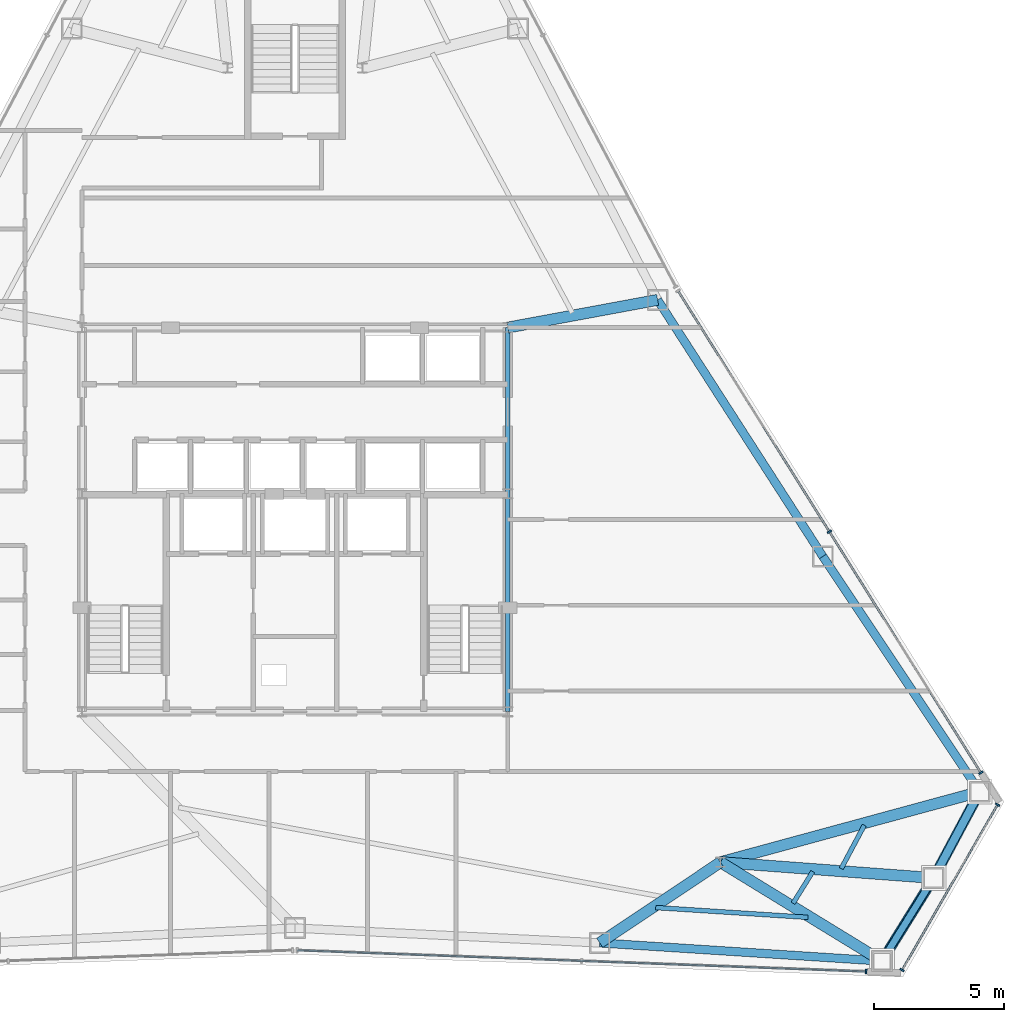
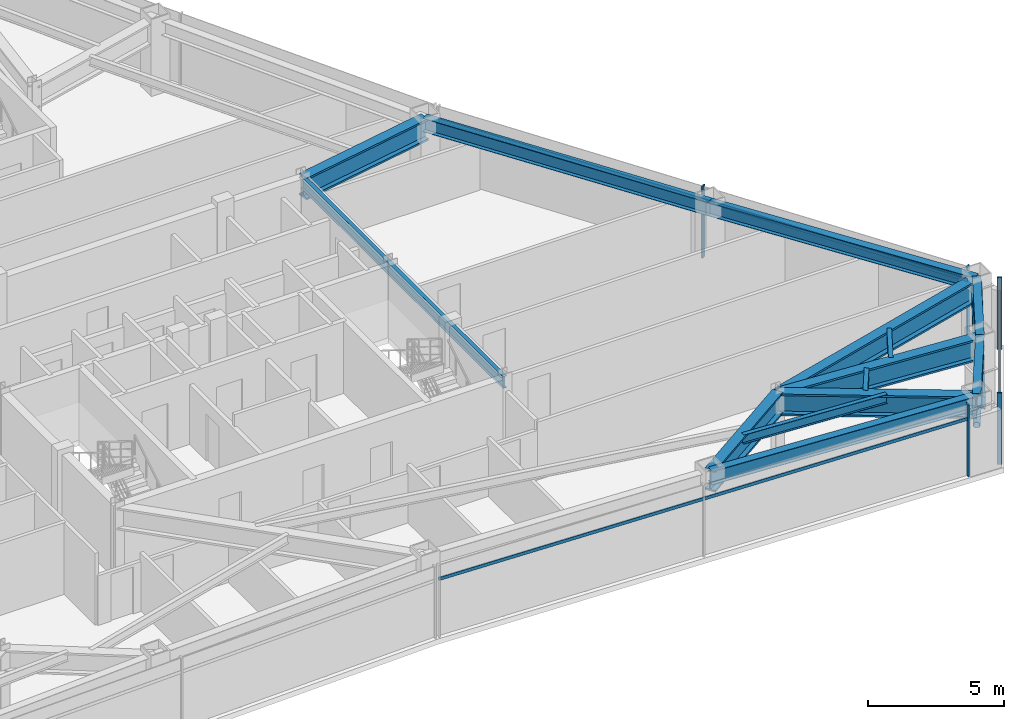
# One storey, part 7 of 13: 14 beams, 11 members, 3 elements without a shape of their own.
"""IFC4 building model written with IfcOpenShell, lengths in metres."""

from ifc_helpers import new_model, si_unit, direction, frame, origin, origin_2d, place, context, subcontext, project, spatial, rectangle, hollow_rectangle, hollow_circle, i_section, extrude, source, transform, mapped, material, layer, layer_set, material_profile, profile_set, type_object, type_shapes, element, aggregate, save


model = new_model("IFC4")

# Units and contexts
model_context = context("Model", 3, precision=1e-05, world=origin(), true_north=direction((0.0, 1.0)))
body_context = subcontext(model_context, "Body", "Model", "MODEL_VIEW")
ifc_project = project(units=[si_unit("LENGTHUNIT", "METRE"), si_unit("AREAUNIT", "SQUARE_METRE"), si_unit("VOLUMEUNIT", "CUBIC_METRE"), si_unit("PLANEANGLEUNIT", "RADIAN"), si_unit("MASSUNIT", "GRAM", prefix="KILO")], contexts=[model_context])

# Site, building, storey
site_placement = place(None, origin())
site = spatial("IfcSite", under=ifc_project, at=site_placement, CompositionType="ELEMENT")
building_placement = place(site_placement, origin())
building = spatial("IfcBuilding", under=site, at=building_placement, Name="Varakhsha Concourse Tower", CompositionType="ELEMENT")
storey_placement = place(building_placement, frame((0.0, 0.0, 179.25)))
storey = spatial("IfcBuildingStorey", under=building, at=storey_placement, Name="L51", CompositionType="ELEMENT", Elevation=179.25)

# Beams
ifc_material_1 = material(Name="Structural Steel ASTM A992 Grade 50", Category="steel")
ifc_material_profile_1 = material_profile(ifc_material_1, i_section(OverallWidth=0.177978515625, OverallDepth=0.406982421875, WebThickness=0.008056640625, FlangeThickness=0.012939453125, at=origin_2d()), Name="W16X40")
ifc_profile_set_1 = profile_set([ifc_material_profile_1], Name="Structural Steel ASTM A992 Grade 50")
beam_type_1 = type_object("IfcBeamType", Name="BM-JST-W16X40", PredefinedType="JOIST", material=ifc_profile_set_1)
beam_1_placement = place(storey_placement, frame((53.902587890625, 8.851806640625, 3.006591796875), z_axis=(0.99793209754, -0.064276968651, 0.0), x_axis=(0.064276968651, 0.99793209754, 0.0)))
element("IfcBeam", 1, at=beam_1_placement, inside=storey, type_object=beam_type_1, Name="BM-TJST-L51-12", PredefinedType="JOIST", context=body_context, shape_type="SweptSolid", body=[
    extrude(i_section(OverallWidth=0.177978515625, OverallDepth=0.406982421875, WebThickness=0.008056640625, FlangeThickness=0.012939453125, at=origin_2d()), origin(), (0.0, 0.0, 1.0), 5.883544921875),
])
beam_2_placement = place(storey_placement, frame((59.1953125, 9.01708984375, 3.006591796875), z_axis=(0.528059854991, 0.849207153495, 0.0), x_axis=(-0.849207153495, 0.528059854991, 0.0)))
element("IfcBeam", 2, at=beam_2_placement, inside=storey, type_object=beam_type_1, Name="BM-TJST-L51-13", PredefinedType="JOIST", context=body_context, shape_type="SweptSolid", body=[
    extrude(i_section(OverallWidth=0.177978515625, OverallDepth=0.406982421875, WebThickness=0.008056640625, FlangeThickness=0.012939453125, at=origin_2d()), origin(), (0.0, 0.0, 1.0), 1.438232421875),
])
beam_3_placement = place(storey_placement, frame((61.050048828125, 10.35595703125, 3.006591796875), z_axis=(0.471432696915, 0.881902042338, 0.0), x_axis=(-0.881902042338, 0.471432696915, 0.0)))
element("IfcBeam", 3, at=beam_3_placement, inside=storey, type_object=beam_type_1, Name="BM-TJST-L51-14", PredefinedType="JOIST", context=body_context, shape_type="SweptSolid", body=[
    extrude(i_section(OverallWidth=0.177978515625, OverallDepth=0.406982421875, WebThickness=0.008056640625, FlangeThickness=0.012939453125, at=origin_2d()), origin(), (0.0, 0.0, 1.0), 1.89013671875),
])
ifc_material_profile_2 = material_profile(ifc_material_1, i_section(OverallWidth=0.1669921875, OverallDepth=0.534912109375, WebThickness=0.010009765625, FlangeThickness=0.01708984375, at=origin_2d()), Name="W21X57")
ifc_profile_set_2 = profile_set([ifc_material_profile_2], Name="Structural Steel ASTM A992 Grade 50")
beam_type_2 = type_object("IfcBeamType", Name="BM-RAD-W21X57", PredefinedType="BEAM", material=ifc_profile_set_2)
beam_4_placement = place(storey_placement, frame((48.199951171875, 16.39990234375, 2.9423828125), z_axis=(0.0, 1.0, 0.0), x_axis=(-1.0, 0.0, 0.0)))
element("IfcBeam", 4, at=beam_4_placement, inside=storey, type_object=beam_type_2, Name="BM-TCORE-L51-CE", PredefinedType="BEAM", context=body_context, shape_type="SweptSolid", body=[
    extrude(i_section(OverallWidth=0.1669921875, OverallDepth=0.534912109375, WebThickness=0.010009765625, FlangeThickness=0.01708984375, at=origin_2d()), origin(), (0.0, 0.0, 1.0), 14.800048828125),
])
ifc_material_profile_3 = material_profile(ifc_material_1, i_section(OverallWidth=0.323974609375, OverallDepth=0.611083984375, WebThickness=0.012939453125, FlangeThickness=0.01904296875, at=origin_2d()), Name="W24X104")
ifc_profile_set_3 = profile_set([ifc_material_profile_3], Name="Structural Steel ASTM A992 Grade 50")
beam_type_3 = type_object("IfcBeamType", Name="BM-SPAN-W24X104", PredefinedType="SPANDREL", material=ifc_profile_set_3)
beam_5_placement = place(storey_placement, frame((51.744384765625, 7.49072265625, 2.904541015625), z_axis=(0.997934305556, -0.064242678915, 0.0), x_axis=(0.064242678915, 0.997934305556, 0.0)))
element("IfcBeam", 5, at=beam_5_placement, inside=storey, type_object=beam_type_3, Name="BM-SPAN-L51-12", PredefinedType="SPANDREL", context=body_context, shape_type="SweptSolid", body=[
    extrude(i_section(OverallWidth=0.323974609375, OverallDepth=0.611083984375, WebThickness=0.012939453125, FlangeThickness=0.01904296875, at=origin_2d()), origin(), (0.0, 0.0, 1.0), 10.899169921875),
])
for number, where, z_axis, x_axis, name in (
    (6, (62.62109375, 6.79052734375, 2.904541015625), (0.528064197342, 0.849204453289, 0.0), (-0.849204453289, 0.528064197342, 0.0), "BM-SPAN-L51-13"),
    (7, (64.611083984375, 9.99072265625, 2.904541015625), (0.471432003262, 0.881902413139, 0.0), (-0.881902413139, 0.471432003262, 0.0), "BM-SPAN-L51-14"),
):
    element("IfcBeam", number, at=place(storey_placement, frame(where, z_axis=z_axis, x_axis=x_axis)), inside=storey, type_object=beam_type_3, Name=name, PredefinedType="SPANDREL", context=body_context, shape_type="SweptSolid", body=[
        extrude(i_section(OverallWidth=0.323974609375, OverallDepth=0.611083984375, WebThickness=0.012939453125, FlangeThickness=0.01904296875, at=origin_2d()), origin(), (0.0, 0.0, 1.0), 3.7685546875),
    ])
beam_6_placement = place(storey_placement, frame((66.3876953125, 13.314208984375, 2.904541015625), z_axis=(-0.554617486764, 0.832105428041, 0.0), x_axis=(-0.832105428041, -0.554617486764, 0.0)))
element("IfcBeam", 8, at=beam_6_placement, inside=storey, type_object=beam_type_3, Name="BM-SPAN-L51-15", PredefinedType="SPANDREL", context=body_context, shape_type="SweptSolid", body=[
    extrude(i_section(OverallWidth=0.323974609375, OverallDepth=0.611083984375, WebThickness=0.012939453125, FlangeThickness=0.01904296875, at=origin_2d()), origin(), (0.0, 0.0, 1.0), 10.899169921875),
])
beam_7_placement = place(storey_placement, frame((60.3427734375, 22.383544921875, 2.904541015625), z_axis=(-0.541439522793, 0.840739700001, 0.0), x_axis=(-0.840739700001, -0.541439522793, 0.0)))
element("IfcBeam", 9, at=beam_7_placement, inside=storey, type_object=beam_type_3, Name="BM-SPAN-L51-16", PredefinedType="SPANDREL", context=body_context, shape_type="SweptSolid", body=[
    extrude(i_section(OverallWidth=0.323974609375, OverallDepth=0.611083984375, WebThickness=0.012939453125, FlangeThickness=0.01904296875, at=origin_2d()), origin(), (0.0, 0.0, 1.0), 11.75830078125),
])
ifc_material_profile_4 = material_profile(ifc_material_1, i_section(OverallWidth=0.427978515625, OverallDepth=0.97509765625, WebThickness=0.050048828125, FlangeThickness=0.0810546875, at=origin_2d()), Name="W36X395")
ifc_profile_set_4 = profile_set([ifc_material_profile_4], Name="Structural Steel ASTM A992 Grade 50")
beam_type_4 = type_object("IfcBeamType", Name="BM-XFER-W36X395", PredefinedType="USERDEFINED", material=ifc_profile_set_4)
beam_8_placement = place(storey_placement, frame((56.39990234375, 10.60009765625, 2.722412109375), z_axis=(-0.83158036055, -0.555404450782, 0.0), x_axis=(0.555404450782, -0.83158036055, 0.0)))
element("IfcBeam", 10, at=beam_8_placement, inside=storey, type_object=beam_type_4, Name="L51 Radial Floor Girder 12", ObjectType="GIRDER", PredefinedType="USERDEFINED", context=body_context, shape_type="SweptSolid", body=[
    extrude(i_section(OverallWidth=0.427978515625, OverallDepth=0.97509765625, WebThickness=0.050048828125, FlangeThickness=0.0810546875, at=origin_2d()), origin(), (0.0, 0.0, 1.0), 5.598388671875),
])
beam_9_placement = place(storey_placement, frame((56.39990234375, 10.60009765625, 2.722412109375), z_axis=(0.852809936367, -0.522221420888, 0.0), x_axis=(0.522221420888, 0.852809936367, 0.0)))
element("IfcBeam", 11, at=beam_9_placement, inside=storey, type_object=beam_type_4, Name="L51 Radial Floor Girder 13", ObjectType="GIRDER", PredefinedType="USERDEFINED", context=body_context, shape_type="SweptSolid", body=[
    extrude(i_section(OverallWidth=0.427978515625, OverallDepth=0.97509765625, WebThickness=0.050048828125, FlangeThickness=0.0810546875, at=origin_2d()), origin(), (0.0, 0.0, 1.0), 7.294921875),
])
beam_10_placement = place(storey_placement, frame((56.39990234375, 10.60009765625, 2.722412109375), z_axis=(0.99725755111, -0.074009301804, 0.0), x_axis=(0.074009301804, 0.99725755111, 0.0)))
element("IfcBeam", 12, at=beam_10_placement, inside=storey, type_object=beam_type_4, Name="L51 Radial Floor Girder 14", ObjectType="GIRDER", PredefinedType="USERDEFINED", context=body_context, shape_type="SweptSolid", body=[
    extrude(i_section(OverallWidth=0.427978515625, OverallDepth=0.97509765625, WebThickness=0.050048828125, FlangeThickness=0.0810546875, at=origin_2d()), origin(), (0.0, 0.0, 1.0), 8.233642578125),
])
beam_11_placement = place(storey_placement, frame((56.39990234375, 10.60009765625, 2.722412109375), z_axis=(0.965004562858, 0.262233090327, 0.0), x_axis=(-0.262233090327, 0.965004562858, 0.0)))
element("IfcBeam", 13, at=beam_11_placement, inside=storey, type_object=beam_type_4, Name="L51 Radial Floor Girder 15", ObjectType="GIRDER", PredefinedType="USERDEFINED", context=body_context, shape_type="SweptSolid", body=[
    extrude(i_section(OverallWidth=0.427978515625, OverallDepth=0.97509765625, WebThickness=0.050048828125, FlangeThickness=0.0810546875, at=origin_2d()), origin(), (0.0, 0.0, 1.0), 10.35009765625),
])
beam_12_placement = place(storey_placement, frame((48.199951171875, 31.199951171875, 2.722412109375), z_axis=(0.983293026869, 0.182029731939, 0.0), x_axis=(-0.182029731939, 0.983293026869, 0.0)))
element("IfcBeam", 14, at=beam_12_placement, inside=storey, type_object=beam_type_4, Name="L51 Radial Floor Girder 17", ObjectType="GIRDER", PredefinedType="USERDEFINED", context=body_context, shape_type="SweptSolid", body=[
    extrude(i_section(OverallWidth=0.427978515625, OverallDepth=0.97509765625, WebThickness=0.050048828125, FlangeThickness=0.0810546875, at=origin_2d()), origin(), (0.0, 0.0, 1.0), 5.87451171875),
])

# Members
ifc_material_2 = material(Name="Structural Steel ASTM A500 Grade C", Category="steel")
ifc_material_profile_5 = material_profile(ifc_material_2, hollow_rectangle(XDim=0.39990234375, YDim=0.39990234375, WallThickness=0.01611328125, at=origin_2d()), Name="HSS 400x400x16")
ifc_profile_set_5 = profile_set([ifc_material_profile_5], Name="Structural Steel ASTM A500 Grade C")
member_type_1 = type_object("IfcMemberType", Name="MB-TUBE-HSS400", PredefinedType="BRACE", material=ifc_profile_set_5)
shared_shape_1 = source(origin(), body_context, "Body", "SweptSolid", [
    extrude(hollow_rectangle(XDim=0.39990234375, YDim=0.39990234375, WallThickness=0.01611328125, at=origin_2d()), origin(), (0.0, 0.0, 1.0), 4.688720703125),
])
type_shapes(member_type_1, [shared_shape_1])
for number, where, z_axis, x_axis, name in (
    (15, (64.611083984375, 9.99072265625, 0.1201171875), (-0.424419130613, -0.682528028963, 0.594999068276), (0.849204453289, -0.528064197342, 0.0), "L51 Wind-Corner Tube Brace B05"),
    (16, (64.611083984375, 9.99072265625, 0.1201171875), (0.378905165974, 0.708813525409, 0.594990975894), (-0.881902413139, 0.471432003262, 0.0), "L51 Wind-Corner Tube Brace B06"),
):
    element("IfcMember", number, at=place(storey_placement, frame(where, z_axis=z_axis, x_axis=x_axis)), inside=storey, type_object=member_type_1, Name=name, PredefinedType="BRACE", context=body_context, shape_type="MappedRepresentation", body=[
        mapped(shared_shape_1, transform((0.0, 0.0, 0.0), scale=1.0)),
    ])
ifc_material_profile_6 = material_profile(ifc_material_2, hollow_circle(Radius=0.136474609375, WallThickness=0.011962890625, at=origin_2d()), Name="CHS 273x12")
ifc_profile_set_6 = profile_set([ifc_material_profile_6], Name="Structural Steel ASTM A500 Grade C")
member_type_2 = type_object("IfcMemberType", Name="MB-WIND-CHS273", PredefinedType="COLLAR", material=ifc_profile_set_6)
shared_shape_2 = source(origin(), body_context, "Body", "SweptSolid", [
    extrude(hollow_circle(Radius=0.136474609375, WallThickness=0.011962890625, at=origin_2d()), origin(), (0.0, 0.0, 1.0), 3.7685546875),
])
type_shapes(member_type_2, [shared_shape_2])
member_1_placement = place(storey_placement, frame((62.62109375, 6.79052734375, 1.800048828125), z_axis=(0.528064197342, 0.849204453289, 0.0), x_axis=(-0.849204453289, 0.528064197342, 0.0)))
element("IfcMember", 17, at=member_1_placement, inside=storey, type_object=member_type_2, Name="L51 Wind-Corner Collar Tie 3", PredefinedType="COLLAR", context=body_context, shape_type="MappedRepresentation", body=[
    mapped(shared_shape_2, transform((0.0, 0.0, 0.0), scale=1.0)),
])

# Curtain wall, member
ifc_material_3 = material(Name="Anodised Bronze Architectural Aluminium AA 6063-T6", Category="aluminium")
ifc_layer = layer(ifc_material_3, 0.2099609375, Name="CW-SYS-04")
ifc_layer_set = layer_set([ifc_layer], Name="Anodised Bronze Architectural Aluminium AA 6063-T6")
curtain_wall_type = type_object("IfcCurtainWallType", Name="CW-SYS-04", PredefinedType="NOTDEFINED", material=ifc_layer_set)
curtain_wall_1_placement = place(storey_placement, origin())
curtain_wall_1 = element("IfcCurtainWall", 18, at=curtain_wall_1_placement, inside=storey, type_object=curtain_wall_type, Name="L51 Crystal Curtain Wall F6", PredefinedType="NOTDEFINED")
ifc_material_profile_7 = material_profile(ifc_material_3, rectangle(XDim=0.06494140625, YDim=0.179931640625, at=origin_2d()), Name="CWM-180X65")
ifc_profile_set_7 = profile_set([ifc_material_profile_7], Name="Anodised Bronze Architectural Aluminium AA 6063-T6")
member_type_3 = type_object("IfcMemberType", Name="CWM-180X65", PredefinedType="MULLION", material=ifc_profile_set_7)
shared_shape_3 = source(origin(), body_context, "Body", "SweptSolid", [
    extrude(rectangle(XDim=0.06494140625, YDim=0.179931640625, at=origin_2d()), origin(), (0.0, 0.0, 1.0), 3.2099609375),
])
type_shapes(member_type_3, [shared_shape_3])
member_2_placement = place(storey_placement, frame((62.010009765625, 6.38623046875, 0.0), z_axis=(0.0, 0.0, 1.0), x_axis=(-0.999301264048, 0.037376244769, 0.0)))
member_2 = element("IfcMember", 19, at=member_2_placement, type_object=member_type_3, Name="CW-L51-F6 Mullion 00", PredefinedType="MULLION", context=body_context, shape_type="MappedRepresentation", body=[
    mapped(shared_shape_3, transform((0.0, 0.0, 0.0), scale=1.0)),
])

# Curtain wall, members
curtain_wall_2_placement = place(storey_placement, origin())
curtain_wall_2 = element("IfcCurtainWall", 20, at=curtain_wall_2_placement, inside=storey, type_object=curtain_wall_type, Name="L51 Chamfer Curtain Wall F7", PredefinedType="NOTDEFINED")
member_3_placement = place(storey_placement, frame((67.074462890625, 12.81787109375, 0.0), z_axis=(0.0, 0.0, 1.0), x_axis=(-0.499996976998, -0.866027149108, 0.0)))
member_3 = element("IfcMember", 21, at=member_3_placement, type_object=member_type_3, Name="CW-L51-F7 Mullion 00", PredefinedType="MULLION", context=body_context, shape_type="MappedRepresentation", body=[
    mapped(shared_shape_3, transform((0.0, 0.0, 0.0), scale=1.0)),
])
member_4_placement = place(storey_placement, frame((63.39453125, 6.44384765625, 0.0), z_axis=(0.0, 0.0, 1.0), x_axis=(-0.499996976998, -0.866027149108, 0.0)))
member_4 = element("IfcMember", 22, at=member_4_placement, type_object=member_type_3, Name="CW-L51-F7 Mullion 01", PredefinedType="MULLION", context=body_context, shape_type="MappedRepresentation", body=[
    mapped(shared_shape_3, transform((0.0, 0.0, 0.0), scale=1.0)),
])

curtain_wall_3_placement = place(storey_placement, origin())
curtain_wall_3 = element("IfcCurtainWall", 23, at=curtain_wall_3_placement, inside=storey, type_object=curtain_wall_type, Name="L51 Crystal Curtain Wall F8", PredefinedType="NOTDEFINED")
member_5_placement = place(storey_placement, frame((60.595947265625, 23.333984375, 0.0), z_axis=(0.0, 0.0, 1.0), x_axis=(0.532022365141, -0.846730301212, 0.0)))
member_5 = element("IfcMember", 24, at=member_5_placement, type_object=member_type_3, Name="CW-L51-F8 Mullion 01", PredefinedType="MULLION", context=body_context, shape_type="MappedRepresentation", body=[
    mapped(shared_shape_3, transform((0.0, 0.0, 0.0), scale=1.0)),
])
member_6_placement = place(storey_placement, frame((66.43212890625, 14.045654296875, 0.0), z_axis=(0.0, 0.0, 1.0), x_axis=(0.532022365141, -0.846730301212, 0.0)))
member_6 = element("IfcMember", 25, at=member_6_placement, type_object=member_type_3, Name="CW-L51-F8 Mullion 02", PredefinedType="MULLION", context=body_context, shape_type="MappedRepresentation", body=[
    mapped(shared_shape_3, transform((0.0, 0.0, 0.0), scale=1.0)),
])
ifc_material_profile_8 = material_profile(ifc_material_3, rectangle(XDim=0.06005859375, YDim=0.139892578125, at=origin_2d()), Name="CWT-140X60")
ifc_profile_set_8 = profile_set([ifc_material_profile_8], Name="Anodised Bronze Architectural Aluminium AA 6063-T6")
member_type_4 = type_object("IfcMemberType", Name="CWT-140X60", PredefinedType="USERDEFINED", material=ifc_profile_set_8)
shared_shape_4 = source(origin(), body_context, "Body", "SweptSolid", [
    extrude(rectangle(XDim=0.06005859375, YDim=0.139892578125, at=origin_2d()), origin(), (0.0, 0.0, 1.0), 21.939208984375),
])
member_7_placement = place(storey_placement, frame((54.760009765625, 32.622314453125, 2.56005859375), z_axis=(0.532019983212, -0.846731797834, 0.0), x_axis=(0.846731797834, 0.532019983212, 0.0)))
member_7 = element("IfcMember", 26, at=member_7_placement, type_object=member_type_4, Name="CW-L51-F8 Transom 01", ObjectType="TRANSOM", PredefinedType="USERDEFINED", context=body_context, shape_type="MappedRepresentation", body=[
    mapped(shared_shape_4, transform((0.0, 0.0, 0.0), scale=1.0)),
])
aggregate(curtain_wall_3, [member_5, member_6, member_7])

# Member
shared_shape_5 = source(origin(), body_context, "Body", "SweptSolid", [
    extrude(rectangle(XDim=0.06005859375, YDim=0.139892578125, at=origin_2d()), origin(), (0.0, 0.0, 1.0), 21.939453125),
])
member_8_placement = place(storey_placement, frame((62.010009765625, 6.38623046875, 2.56005859375), z_axis=(-0.999301168886, 0.037378788948, 0.0), x_axis=(-0.037378788948, -0.999301168886, 0.0)))
member_8 = element("IfcMember", 27, at=member_8_placement, type_object=member_type_4, Name="CW-L51-F6 Transom 01", ObjectType="TRANSOM", PredefinedType="USERDEFINED", context=body_context, shape_type="MappedRepresentation", body=[
    mapped(shared_shape_5, transform((0.0, 0.0, 0.0), scale=1.0)),
])

aggregate(curtain_wall_1, [member_2, member_8])

shared_shape_6 = source(origin(), body_context, "Body", "SweptSolid", [
    extrude(rectangle(XDim=0.06005859375, YDim=0.139892578125, at=origin_2d()), origin(), (0.0, 0.0, 1.0), 7.360107421875),
])
type_shapes(member_type_4, [shared_shape_4, shared_shape_5, shared_shape_6])
member_9_placement = place(storey_placement, frame((67.074462890625, 12.81787109375, 2.56005859375), z_axis=(-0.499988535315, -0.866032022822, 0.0), x_axis=(0.866032022822, -0.499988535315, 0.0)))
member_9 = element("IfcMember", 28, at=member_9_placement, type_object=member_type_4, Name="CW-L51-F7 Transom 01", ObjectType="TRANSOM", PredefinedType="USERDEFINED", context=body_context, shape_type="MappedRepresentation", body=[
    mapped(shared_shape_6, transform((0.0, 0.0, 0.0), scale=1.0)),
])

aggregate(curtain_wall_2, [member_3, member_4, member_9])

save(model, "model.ifc")
